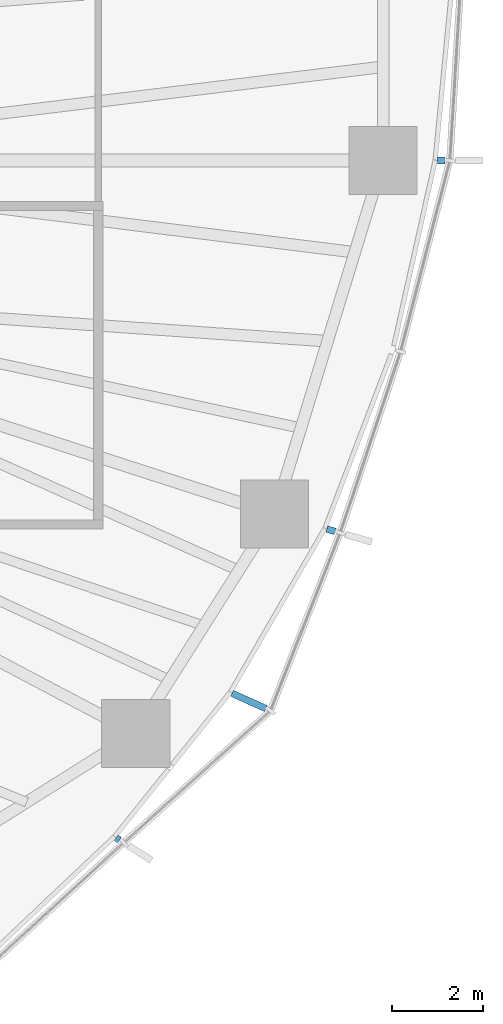
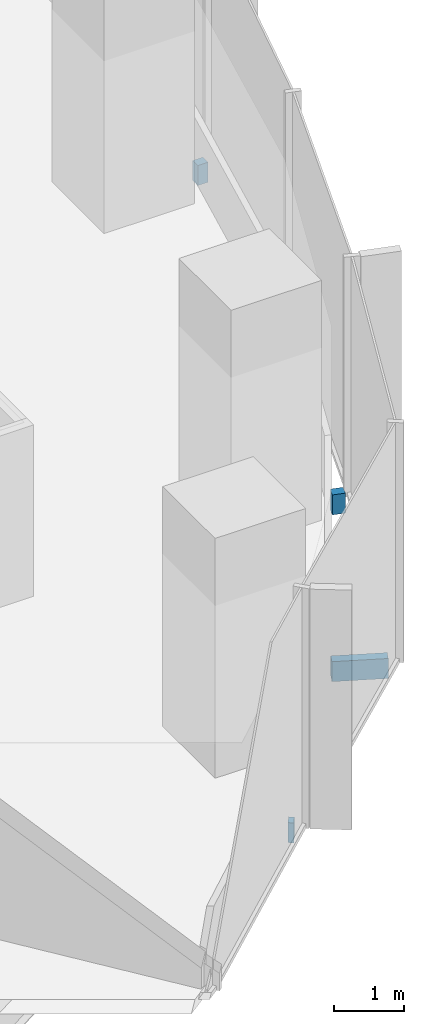
# One storey, part 14 of 18: 4 discrete accessories.
"""IFC4 building model written with IfcOpenShell, lengths in metres."""

import ifcopenshell
import ifcopenshell.guid

model = None  # the IFC model being written
_history = None  # IfcOwnerHistory: only IFC2X3 demands one
_inside = {}  # id of a spatial element -> (the spatial element, [elements in it])
_under = {}  # id of a project, library or spatial element -> (it, [spatial elements below it])
_declared = {}  # id of a project -> (the project, [libraries it declares])
_typed = {}  # id of a type object -> (the type object, [elements of that type])
_made_of = {}  # id of a material, layer set ... -> (it, [elements and type objects made of it])


def new_model(schema):
    """Start an empty IFC model of exactly this schema.

    Asked for "IFC4X3", IfcOpenShell would pick the latest addendum, in which some entities
    have other attributes; the version numbers below select the first issue.
    IFC2X3 requires an IfcOwnerHistory on every rooted entity: one is made here for all.
    """
    global model, _history
    if schema == "IFC4X3":
        model = ifcopenshell.file(schema_version=(4, 3, 0, 0))
    else:
        model = ifcopenshell.file(schema=schema)
    _inside.clear()
    _under.clear()
    _declared.clear()
    _typed.clear()
    _made_of.clear()
    _history = None
    if model.schema == "IFC2X3":
        org = make("IfcOrganization", Name="unknown")
        user = make(
            "IfcPersonAndOrganization",
            ThePerson=make("IfcPerson", FamilyName="unknown"),
            TheOrganization=org,
        )
        app = make(
            "IfcApplication",
            ApplicationDeveloper=org,
            Version="unknown",
            ApplicationFullName="unknown",
            ApplicationIdentifier="unknown",
        )
        _history = make(
            "IfcOwnerHistory",
            OwningUser=user,
            OwningApplication=app,
            ChangeAction="ADDED",
            CreationDate=0,
        )
    return model


def make(cls, **values):
    """One entity of the class cls with the attributes given. An attribute that is None is left unset."""
    return model.create_entity(
        cls, **{name: value for name, value in values.items() if value is not None}
    )


def rooted(cls, **values):
    """An entity with a GlobalId (a new one), such as an element, a storey or a relation."""
    return make(cls, GlobalId=ifcopenshell.guid.new(), OwnerHistory=_history, **values)


def si_unit(unit_type, name, prefix=None):
    """IfcSIUnit, for example si_unit("LENGTHUNIT", "METRE", prefix="MILLI")."""
    return make("IfcSIUnit", UnitType=unit_type, Prefix=prefix, Name=name)


def assignment(units):
    """IfcUnitAssignment: the units of a project."""
    return None if units is None else make("IfcUnitAssignment", Units=units)


def point(xyz):
    """IfcCartesianPoint."""
    return None if xyz is None else make("IfcCartesianPoint", Coordinates=xyz)


def direction(xyz):
    """IfcDirection."""
    return None if xyz is None else make("IfcDirection", DirectionRatios=xyz)


def frame(location, z_axis=None, x_axis=None):
    """IfcAxis2Placement3D, a coordinate frame: its origin and axes. An axis left out is left unset."""
    return make(
        "IfcAxis2Placement3D",
        Location=point(location),
        Axis=direction(z_axis),
        RefDirection=direction(x_axis),
    )


def frame_2d(location, x_axis=None):
    """IfcAxis2Placement2D, a coordinate frame in the plane: its origin and x axis."""
    return make(
        "IfcAxis2Placement2D", Location=point(location), RefDirection=direction(x_axis)
    )


def origin():
    """The frame at (0, 0, 0) with its axes left unset."""
    return frame((0.0, 0.0, 0.0))


def origin_2d():
    """The frame at (0, 0) in the plane with its x axis left unset."""
    return frame_2d((0.0, 0.0))


def place(relative_to, where):
    """IfcLocalPlacement: puts the frame where relative to a parent placement (None: the world)."""
    return make(
        "IfcLocalPlacement", PlacementRelTo=relative_to, RelativePlacement=where
    )


def context(
    kind, dimensions, precision=None, world=None, true_north=None, identifier=None
):
    """IfcGeometricRepresentationContext, for example the 3D "Model" context."""
    return make(
        "IfcGeometricRepresentationContext",
        ContextIdentifier=identifier,
        ContextType=kind,
        CoordinateSpaceDimension=dimensions,
        Precision=precision,
        WorldCoordinateSystem=world,
        TrueNorth=true_north,
    )


def subcontext(parent, identifier, kind, view, scale=None):
    """IfcGeometricRepresentationSubContext, for example "Body" below "Model"."""
    return make(
        "IfcGeometricRepresentationSubContext",
        ContextIdentifier=identifier,
        ContextType=kind,
        ParentContext=parent,
        TargetScale=scale,
        TargetView=view,
    )


def project(units=None, contexts=None):
    """IfcProject with its units and contexts."""
    return rooted(
        "IfcProject",
        Name="project",
        RepresentationContexts=contexts,
        UnitsInContext=assignment(units),
    )


def spatial(cls, under=None, at=None, **own):
    """A site, building, storey or space (cls), placed at a placement, below another one or the project."""
    s = rooted(cls, ObjectPlacement=at, **own)
    if under is not None:
        _under.setdefault(under.id(), (under, []))[1].append(s)
    return s


def profile(cls, at=None, kind="AREA", **sizes):
    """A parametric profile (cls). Its sizes go by their IFC names, for example OverallWidth=200.0."""
    return make(cls, ProfileType=kind, Position=at, **sizes)


def rectangle(**sizes):
    """IfcRectangleProfileDef."""
    return profile("IfcRectangleProfileDef", **sizes)


def extrude(swept, where, along, depth):
    """IfcExtrudedAreaSolid: the profile swept, set in the frame where, extruded along a direction by depth."""
    return make(
        "IfcExtrudedAreaSolid",
        SweptArea=swept,
        Position=where,
        ExtrudedDirection=direction(along),
        Depth=depth,
    )


def shape(context_of_items, identifier, shape_type, items):
    """IfcShapeRepresentation: the items that make up one representation, for example the "Body"."""
    return make(
        "IfcShapeRepresentation",
        ContextOfItems=context_of_items,
        RepresentationIdentifier=identifier,
        RepresentationType=shape_type,
        Items=items,
    )


def material(Name=None, Category=None):
    """IfcMaterial."""
    return make("IfcMaterial", Name=Name, Category=Category)


def made_of(thing, what):
    """Note that an element or type object is made of a material, layer set ...; save() writes the relation."""
    if what is not None:
        _made_of.setdefault(what.id(), (what, []))[1].append(thing)
    return thing


def type_object(cls, material=None, **own):
    """A type object (cls), such as IfcWallType, which elements share."""
    return made_of(rooted(cls, **own), material)


def element(
    cls,
    number,
    at=None,
    inside=None,
    cuts=None,
    type_object=None,
    material=None,
    context=None,
    identifier="Body",
    shape_type=None,
    held_by="IfcProductDefinitionShape",
    body=None,
    shapes=None,
    **own,
):
    """One element of the class cls, such as IfcWall. Its Tag is "e" and its number.

    at: its placement. inside: the storey or other place that contains it. cuts: it is an
    opening in that element (IfcRelVoidsElement). A single representation is given by context,
    identifier, shape_type and body (its items); several are given by shapes. held_by: the class
    of the entity that holds the representations. save() writes the other relations.
    """
    e = rooted(cls, Tag="e%d" % number, ObjectPlacement=at, **own)
    if body is not None:
        shapes = [shape(context, identifier, shape_type, body)]
    if shapes is not None:
        e.Representation = make(held_by, Representations=shapes)
    if inside is not None:
        _inside.setdefault(inside.id(), (inside, []))[1].append(e)
    if cuts is not None:
        rooted(
            "IfcRelVoidsElement", RelatingBuildingElement=cuts, RelatedOpeningElement=e
        )
    if type_object is not None:
        _typed.setdefault(type_object.id(), (type_object, []))[1].append(e)
    return made_of(e, material)


def aggregate(whole, parts):
    """IfcRelAggregates: a whole, such as a stair, and the parts it consists of."""
    return rooted("IfcRelAggregates", RelatingObject=whole, RelatedObjects=parts)


def save(model, path):
    """Write the relations noted so far, then the file.

    IfcRelAggregates (storeys below a building ...), IfcRelContainedInSpatialStructure (elements
    in a storey), IfcRelDefinesByType, IfcRelAssociatesMaterial and IfcRelDeclares: one each for
    every whole, place, type object, material and project.
    """
    for whole, parts in _under.values():
        aggregate(whole, parts)
    for where, things in _inside.values():
        rooted(
            "IfcRelContainedInSpatialStructure",
            RelatedElements=things,
            RelatingStructure=where,
        )
    for kind, things in _typed.values():
        rooted("IfcRelDefinesByType", RelatedObjects=things, RelatingType=kind)
    for what, things in _made_of.values():
        rooted("IfcRelAssociatesMaterial", RelatedObjects=things, RelatingMaterial=what)
    for by, libraries in _declared.values():
        rooted("IfcRelDeclares", RelatingContext=by, RelatedDefinitions=libraries)
    model.write(path)


model = new_model("IFC4")

# Units and contexts
model_context = context("Model", 3, precision=1e-05, world=origin(), true_north=direction((0.0, 1.0)))
body_context = subcontext(model_context, "Body", "Model", "MODEL_VIEW")
ifc_project = project(units=[si_unit("LENGTHUNIT", "METRE"), si_unit("AREAUNIT", "SQUARE_METRE"), si_unit("VOLUMEUNIT", "CUBIC_METRE"), si_unit("PLANEANGLEUNIT", "RADIAN"), si_unit("MASSUNIT", "GRAM", prefix="KILO")], contexts=[model_context])

# Site, building, storey
site_placement = place(None, origin())
site = spatial("IfcSite", under=ifc_project, at=site_placement, CompositionType="ELEMENT")
building_placement = place(site_placement, origin())
building = spatial("IfcBuilding", under=site, at=building_placement, Name="Ghaith Harvest Tower", CompositionType="ELEMENT")
storey_placement = place(building_placement, frame((0.0, 0.0, 117.60009765625)))
storey = spatial("IfcBuildingStorey", under=building, at=storey_placement, Name="L24", CompositionType="ELEMENT", Elevation=117.60009765625)

# Discrete accessories
ifc_material_1 = material(Name="Stainless steel grade 1.4401", Category="steel")
discrete_accessory_type_1 = type_object("IfcDiscreteAccessoryType", Name="CURTAIN WALL BRACKET 165", PredefinedType="BRACKET", material=ifc_material_1)
discrete_accessory_1_placement = place(storey_placement, frame((30.5361328125, 0.0, -0.250244140625), z_axis=(0.0, 0.0, 1.0), x_axis=(1.0, 0.0, 0.0)))
element("IfcDiscreteAccessory", 1, at=discrete_accessory_1_placement, inside=storey, type_object=discrete_accessory_type_1, Name="CW-L bracket 1 bay 01 L24", PredefinedType="BRACKET", context=body_context, shape_type="SweptSolid", body=[
    extrude(rectangle(XDim=0.1650390625, YDim=0.14990234375, at=origin_2d()), origin(), (0.0, 0.0, 1.0), 0.35009765625),
])
ifc_material_2 = material(Name="Stainless steel grade 1.4401", Category="steel")
discrete_accessory_type_2 = type_object("IfcDiscreteAccessoryType", Name="CURTAIN WALL BRACKET 195", PredefinedType="BRACKET", material=ifc_material_2)
discrete_accessory_2_placement = place(storey_placement, frame((28.1201171875, -8.127197265625, -0.250244140625), z_axis=(0.0, 0.0, 1.0), x_axis=(0.960680349932, -0.277656739976, 0.0)))
element("IfcDiscreteAccessory", 2, at=discrete_accessory_2_placement, inside=storey, type_object=discrete_accessory_type_2, Name="CW-L bracket 1 bay 20 L24", PredefinedType="BRACKET", context=body_context, shape_type="SweptSolid", body=[
    extrude(rectangle(XDim=0.195068359375, YDim=0.14990234375, at=origin_2d()), origin(), (0.0, 0.0, 1.0), 0.35009765625),
])
ifc_material_3 = material(Name="Stainless steel grade 1.4401", Category="steel")
discrete_accessory_type_3 = type_object("IfcDiscreteAccessoryType", Name="CURTAIN WALL BRACKET 815", PredefinedType="BRACKET", material=ifc_material_3)
discrete_accessory_3_placement = place(storey_placement, frame((26.314697265625, -11.879638671875, -0.250244140625), z_axis=(0.0, 0.0, 1.0), x_axis=(0.911426750831, -0.41146236507, 0.0)))
element("IfcDiscreteAccessory", 3, at=discrete_accessory_3_placement, inside=storey, type_object=discrete_accessory_type_3, Name="CW-L bracket 2 bay 19 L24", PredefinedType="BRACKET", context=body_context, shape_type="SweptSolid", body=[
    extrude(rectangle(XDim=0.81494140625, YDim=0.14990234375, at=origin_2d()), origin(), (0.0, 0.0, 1.0), 0.35009765625),
])
ifc_material_4 = material(Name="Stainless steel grade 1.4401", Category="steel")
discrete_accessory_type_4 = type_object("IfcDiscreteAccessoryType", Name="CURTAIN WALL BRACKET 85", PredefinedType="BRACKET", material=ifc_material_4)
discrete_accessory_4_placement = place(storey_placement, frame((23.431884765625, -14.912353515625, -0.250244140625), z_axis=(0.0, 0.0, 1.0), x_axis=(0.84364397137, -0.536903016913, 0.0)))
element("IfcDiscreteAccessory", 4, at=discrete_accessory_4_placement, inside=storey, type_object=discrete_accessory_type_4, Name="CW-L bracket 1 bay 19 L24", PredefinedType="BRACKET", context=body_context, shape_type="SweptSolid", body=[
    extrude(rectangle(XDim=0.0849609375, YDim=0.14990234375, at=origin_2d()), origin(), (0.0, 0.0, 1.0), 0.35009765625),
])

save(model, "model.ifc")
